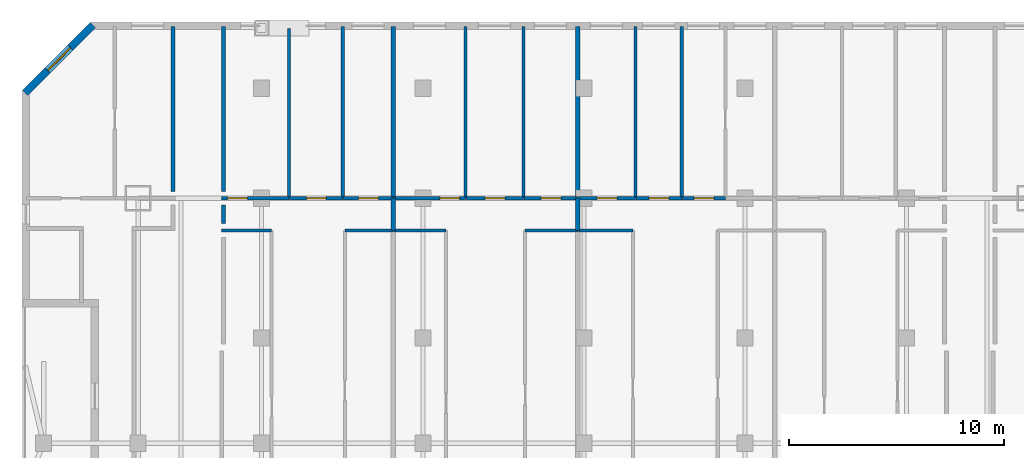
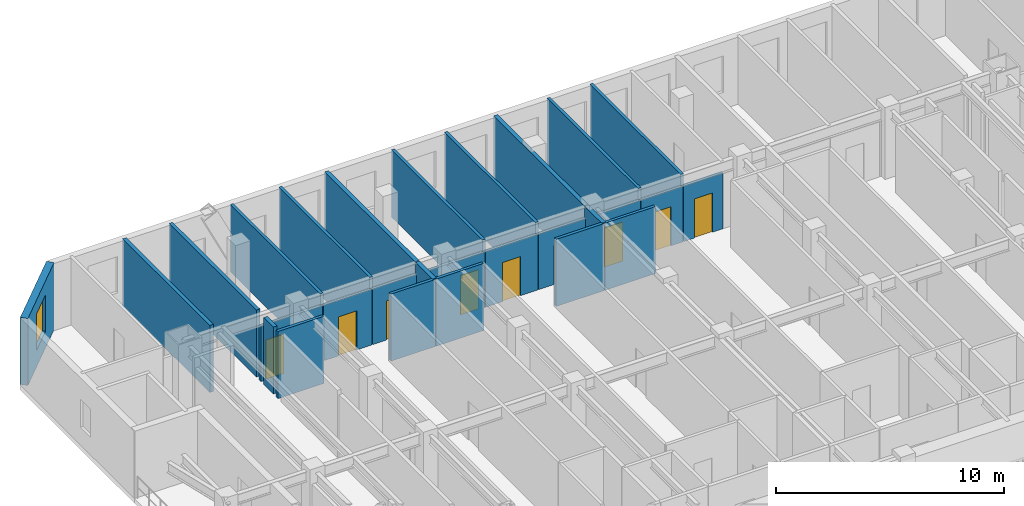
# One storey, part 7 of 11: 28 walls, 9 doors, 1 window, 10 openings.
"""IFC4 building model written with IfcOpenShell, lengths in metres."""

from ifc_helpers import new_model, si_unit, direction, frame, frame_2d, origin, place, context, subcontext, project, spatial, rectangle, extrude, material, layer, layer_set, type_object, element, fill, save


model = new_model("IFC4")

# Units and contexts
model_context = context("Model", 3, precision=1e-05, world=origin(), true_north=direction((0.0, 1.0)))
body_context = subcontext(model_context, "Body", "Model", "MODEL_VIEW")
ifc_project = project(units=[si_unit("LENGTHUNIT", "METRE"), si_unit("AREAUNIT", "SQUARE_METRE"), si_unit("VOLUMEUNIT", "CUBIC_METRE"), si_unit("PLANEANGLEUNIT", "RADIAN"), si_unit("MASSUNIT", "GRAM", prefix="KILO")], contexts=[model_context])

# Site, building, storey
site_placement = place(None, origin())
site = spatial("IfcSite", under=ifc_project, at=site_placement, CompositionType="ELEMENT")
building_placement = place(site_placement, origin())
building = spatial("IfcBuilding", under=site, at=building_placement, Name="Ventersveld Concourse Tower", CompositionType="ELEMENT")
storey_placement = place(building_placement, frame((0.0, 0.0, 119.550048828125)))
storey = spatial("IfcBuildingStorey", under=building, at=storey_placement, Name="L29", CompositionType="ELEMENT", Elevation=119.550048828125)

# Walls
ifc_material_1 = material(Name="Fire-rated autoclaved aerated masonry blockwork", Category="masonry")
ifc_layer_1 = layer(ifc_material_1, 0.179931640625)
ifc_layer_set_1 = layer_set([ifc_layer_1], Name="Fire-rated autoclaved aerated masonry blockwork")
wall_type_1 = type_object("IfcWallType", Name="WL-CORR-180", PredefinedType="PARTITIONING", material=ifc_layer_set_1)
wall_1_placement = place(storey_placement, frame((9.6201171875, 42.989990234375, 0.0), z_axis=(0.0, 0.0, 1.0), x_axis=(0.0, -1.0, 0.0)))
element("IfcWall", 1, at=wall_1_placement, inside=storey, type_object=wall_type_1, Name="L29 Room Enclosure Wall SP-L29-29NW-BR2", PredefinedType="PARTITIONING", context=body_context, shape_type="SweptSolid", body=[
    extrude(rectangle(XDim=7.6650390625, YDim=0.179931640625, at=frame_2d((3.83251953125, 0.0))), origin(), (0.0, 0.0, 1.0), 3.599853515625),
])
wall_2_placement = place(storey_placement, frame((11.97998046875, 33.824951171875, 0.0), z_axis=(0.0, 0.0, 1.0), x_axis=(0.0, 1.0, 0.0)))
element("IfcWall", 2, at=wall_2_placement, inside=storey, type_object=wall_type_1, Name="L29 Room Enclosure Wall SP-L29-29N1-LIV", PredefinedType="PARTITIONING", context=body_context, shape_type="SweptSolid", body=[
    extrude(rectangle(XDim=0.85009765625, YDim=0.179931640625, at=frame_2d((0.425048828125, 0.0))), origin(), (0.0, 0.0, 1.0), 3.599853515625),
])
wall_3_placement = place(storey_placement, frame((11.97998046875, 35.324951171875, 0.0), z_axis=(0.0, 0.0, 1.0), x_axis=(0.0, 1.0, 0.0)))
element("IfcWall", 3, at=wall_3_placement, inside=storey, type_object=wall_type_1, Name="L29 Room Enclosure Wall SP-L29-29N1-BR1", PredefinedType="PARTITIONING", context=body_context, shape_type="SweptSolid", body=[
    extrude(rectangle(XDim=7.6650390625, YDim=0.179931640625, at=frame_2d((3.83251953125, 0.0))), origin(), (0.0, 0.0, 1.0), 3.599853515625),
])
ifc_layer_2 = layer(ifc_material_1, 0.199951171875)
ifc_layer_set_2 = layer_set([ifc_layer_2], Name="Fire-rated autoclaved aerated masonry blockwork")
wall_type_2 = type_object("IfcWallType", Name="WL-DEMISE-200", PredefinedType="PARTITIONING", material=ifc_layer_set_2)
wall_4_placement = place(storey_placement, frame((19.879150390625, 33.4951171875, 0.0), z_axis=(0.0, 0.0, 1.0), x_axis=(0.0, 1.0, 0.0)))
element("IfcWall", 4, at=wall_4_placement, inside=storey, type_object=wall_type_2, Name="L29 Interior Partition SP-L29-29N1-LIV-SP-L29-29N2-LIV", PredefinedType="PARTITIONING", context=body_context, shape_type="SweptSolid", body=[
    extrude(rectangle(XDim=1.509765625, YDim=0.199951171875, at=frame_2d((0.7548828125, 0.0))), origin(), (0.0, 0.0, 1.0), 3.599853515625),
])
wall_5_placement = place(storey_placement, frame((19.879150390625, 35.034912109375, 0.0), z_axis=(0.0, 0.0, 1.0), x_axis=(0.0, 1.0, 0.0)))
element("IfcWall", 5, at=wall_5_placement, inside=storey, type_object=wall_type_2, Name="L29 Interior Partition SP-L29-29N1-BR3-SP-L29-29N2-BR1", PredefinedType="PARTITIONING", context=body_context, shape_type="SweptSolid", body=[
    extrude(rectangle(XDim=7.955078125, YDim=0.199951171875, at=frame_2d((3.9775390625, 0.0))), origin(), (0.0, 0.0, 1.0), 3.599853515625),
])
wall_6_placement = place(storey_placement, frame((28.4560546875, 33.4951171875, 0.0), z_axis=(0.0, 0.0, 1.0), x_axis=(0.0, 1.0, 0.0)))
element("IfcWall", 6, at=wall_6_placement, inside=storey, type_object=wall_type_2, Name="L29 Interior Partition SP-L29-29N2-LIV-SP-L29-29N3-LIV", PredefinedType="PARTITIONING", context=body_context, shape_type="SweptSolid", body=[
    extrude(rectangle(XDim=1.509765625, YDim=0.199951171875, at=frame_2d((0.7548828125, 0.0))), origin(), (0.0, 0.0, 1.0), 3.599853515625),
])
wall_7_placement = place(storey_placement, frame((28.4560546875, 35.034912109375, 0.0), z_axis=(0.0, 0.0, 1.0), x_axis=(0.0, 1.0, 0.0)))
element("IfcWall", 7, at=wall_7_placement, inside=storey, type_object=wall_type_2, Name="L29 Interior Partition SP-L29-29N2-BR3-SP-L29-29N3-BR1", PredefinedType="PARTITIONING", context=body_context, shape_type="SweptSolid", body=[
    extrude(rectangle(XDim=7.955078125, YDim=0.199951171875, at=frame_2d((3.9775390625, 0.0))), origin(), (0.0, 0.0, 1.0), 3.599853515625),
])
ifc_material_2 = material(Name="Autoclaved aerated masonry blockwork", Category="masonry")
ifc_layer_3 = layer(ifc_material_2, 0.14990234375)
ifc_layer_set_3 = layer_set([ifc_layer_3], Name="Autoclaved aerated masonry blockwork")
wall_type_3 = type_object("IfcWallType", Name="WL-INT-150", PredefinedType="PARTITIONING", material=ifc_layer_set_3)
wall_8_placement = place(storey_placement, frame((11.885009765625, 33.5, 0.0), z_axis=(0.0, 0.0, 1.0), x_axis=(1.0, 0.0, 0.0)))
element("IfcWall", 8, at=wall_8_placement, inside=storey, type_object=wall_type_3, Name="L29 Interior Partition SP-L29-29N1-LIV-SP-L29-29N1-OFFL0", PredefinedType="PARTITIONING", context=body_context, shape_type="SweptSolid", body=[
    extrude(rectangle(XDim=2.3310546875, YDim=0.14990234375, at=frame_2d((1.16552734375, 0.0))), origin(), (0.0, 0.0, 1.0), 3.599853515625),
])
wall_9_placement = place(storey_placement, frame((17.6181640625, 33.5, 0.0), z_axis=(0.0, 0.0, 1.0), x_axis=(1.0, 0.0, 0.0)))
element("IfcWall", 9, at=wall_9_placement, inside=storey, type_object=wall_type_3, Name="L29 Interior Partition SP-L29-29N1-LIV-SP-L29-29N1-DENR", PredefinedType="PARTITIONING", context=body_context, shape_type="SweptSolid", body=[
    extrude(rectangle(XDim=2.26611328125, YDim=0.14990234375, at=frame_2d((1.133056640625, 0.0))), origin(), (0.0, 0.0, 1.0), 3.599853515625),
])

# Wall, opening, door
wall_10_placement = place(storey_placement, frame((11.885009765625, 35.0, 0.0), z_axis=(0.0, 0.0, 1.0), x_axis=(1.0, 0.0, 0.0)))
wall_10 = element("IfcWall", 10, at=wall_10_placement, inside=storey, type_object=wall_type_3, Name="L29 Interior Partition SP-L29-29N1-LIV-SP-L29-29N1-BR1", PredefinedType="PARTITIONING", context=body_context, shape_type="SweptSolid", body=[
    extrude(rectangle(XDim=3.138671875, YDim=0.14990234375, at=frame_2d((1.5693359375, 0.0))), origin(), (0.0, 0.0, 1.0), 2.982666015625),
])
opening_1_placement = place(wall_10_placement, frame((0.280029296875, 0.0, 0.0)))
opening_1 = element("IfcOpeningElement", 11, at=opening_1_placement, cuts=wall_10, Name="Opening ID1", PredefinedType="OPENING", context=body_context, shape_type="SweptSolid", body=[
    extrude(rectangle(XDim=0.919921875, YDim=2.10009765625, at=frame_2d((0.4599609375, 1.050048828125))), frame((0.0, 0.0849609375, 0.0), z_axis=(0.0, -1.0, 0.0), x_axis=(1.0, 0.0, 0.0)), (0.0, 0.0, 1.0), 0.169921875),
])
ifc_material_3 = material(Name="Solid-core hardwood veneer timber", Category="wood")
door_type = type_object("IfcDoorType", Name="DR-ROOM-092", OperationType="NOTDEFINED", PredefinedType="DOOR", material=ifc_material_3)
door_1_placement = place(opening_1_placement, origin())
door_1 = element("IfcDoor", 12, at=door_1_placement, inside=storey, type_object=door_type, Name="L29 Interior Door SP-L29-29N1-LIV to SP-L29-29N1-BR1 (D-L29-1451)", OperationType="SINGLE_SWING_LEFT", OverallHeight=2.10009765625, OverallWidth=0.919921875, PredefinedType="DOOR", context=body_context, shape_type="SweptSolid", body=[
    extrude(rectangle(XDim=0.919921875, YDim=2.10009765625, at=frame_2d((0.4599609375, 1.050048828125))), frame((0.0, 0.02490234375, 0.0), z_axis=(0.0, -1.0, 0.0), x_axis=(1.0, 0.0, 0.0)), (0.0, 0.0, 1.0), 0.050048828125),
])
fill(opening_1, door_1)

wall_11_placement = place(storey_placement, frame((15.0537109375, 35.0, 0.0), z_axis=(0.0, 0.0, 1.0), x_axis=(1.0, 0.0, 0.0)))
wall_11 = element("IfcWall", 13, at=wall_11_placement, inside=storey, type_object=wall_type_3, Name="L29 Interior Partition SP-L29-29N1-LIV-SP-L29-29N1-BR2", PredefinedType="PARTITIONING", context=body_context, shape_type="SweptSolid", body=[
    extrude(rectangle(XDim=2.477783203125, YDim=0.14990234375, at=frame_2d((1.23876953125, 0.0))), origin(), (0.0, 0.0, 1.0), 2.982666015625),
])
opening_2_placement = place(wall_11_placement, frame((0.779052734375, 0.0, 0.0)))
opening_2 = element("IfcOpeningElement", 14, at=opening_2_placement, cuts=wall_11, Name="Opening ID1", PredefinedType="OPENING", context=body_context, shape_type="SweptSolid", body=[
    extrude(rectangle(XDim=0.919921875, YDim=2.10009765625, at=frame_2d((0.4599609375, 1.050048828125))), frame((0.0, 0.0849609375, 0.0), z_axis=(0.0, -1.0, 0.0), x_axis=(1.0, 0.0, 0.0)), (0.0, 0.0, 1.0), 0.169921875),
])
door_2_placement = place(opening_2_placement, origin())
door_2 = element("IfcDoor", 15, at=door_2_placement, inside=storey, type_object=door_type, Name="L29 Interior Door SP-L29-29N1-LIV to SP-L29-29N1-BR2 (D-L29-1452)", OperationType="SINGLE_SWING_RIGHT", OverallHeight=2.10009765625, OverallWidth=0.919921875, PredefinedType="DOOR", context=body_context, shape_type="SweptSolid", body=[
    extrude(rectangle(XDim=0.919921875, YDim=2.10009765625, at=frame_2d((0.4599609375, 1.050048828125))), frame((0.0, 0.02490234375, 0.0), z_axis=(0.0, -1.0, 0.0), x_axis=(1.0, 0.0, 0.0)), (0.0, 0.0, 1.0), 0.050048828125),
])
fill(opening_2, door_2)

wall_12_placement = place(storey_placement, frame((17.5615234375, 35.0, 0.0), z_axis=(0.0, 0.0, 1.0), x_axis=(1.0, 0.0, 0.0)))
wall_12 = element("IfcWall", 16, at=wall_12_placement, inside=storey, type_object=wall_type_3, Name="L29 Interior Partition SP-L29-29N1-LIV-SP-L29-29N1-BR3", PredefinedType="PARTITIONING", context=body_context, shape_type="SweptSolid", body=[
    extrude(rectangle(XDim=2.32275390625, YDim=0.14990234375, at=frame_2d((1.161376953125, 0.0))), origin(), (0.0, 0.0, 1.0), 2.982666015625),
])
opening_3_placement = place(wall_12_placement, frame((0.701416015625, 0.0, 0.0)))
opening_3 = element("IfcOpeningElement", 17, at=opening_3_placement, cuts=wall_12, Name="Opening ID1", PredefinedType="OPENING", context=body_context, shape_type="SweptSolid", body=[
    extrude(rectangle(XDim=0.919921875, YDim=2.10009765625, at=frame_2d((0.4599609375, 1.050048828125))), frame((0.0, 0.0849609375, 0.0), z_axis=(0.0, -1.0, 0.0), x_axis=(1.0, 0.0, 0.0)), (0.0, 0.0, 1.0), 0.169921875),
])
door_3_placement = place(opening_3_placement, origin())
door_3 = element("IfcDoor", 18, at=door_3_placement, inside=storey, type_object=door_type, Name="L29 Interior Door SP-L29-29N1-LIV to SP-L29-29N1-BR3 (D-L29-1453)", OperationType="SINGLE_SWING_LEFT", OverallHeight=2.10009765625, OverallWidth=0.919921875, PredefinedType="DOOR", context=body_context, shape_type="SweptSolid", body=[
    extrude(rectangle(XDim=0.919921875, YDim=2.10009765625, at=frame_2d((0.4599609375, 1.050048828125))), frame((0.0, 0.02490234375, 0.0), z_axis=(0.0, -1.0, 0.0), x_axis=(1.0, 0.0, 0.0)), (0.0, 0.0, 1.0), 0.050048828125),
])
fill(opening_3, door_3)

# Walls
wall_13_placement = place(storey_placement, frame((15.0185546875, 34.9951171875, 0.0), z_axis=(0.0, 0.0, 1.0), x_axis=(0.0, 1.0, 0.0)))
element("IfcWall", 19, at=wall_13_placement, inside=storey, type_object=wall_type_3, Name="L29 Interior Partition SP-L29-29N1-BR1-SP-L29-29N1-BR2", PredefinedType="PARTITIONING", context=body_context, shape_type="SweptSolid", body=[
    extrude(rectangle(XDim=7.906982421875, YDim=0.14990234375, at=frame_2d((3.95361328125, 0.0))), origin(), (0.0, 0.0, 1.0), 3.599853515625),
])
wall_14_placement = place(storey_placement, frame((17.526611328125, 34.9951171875, 0.0), z_axis=(0.0, 0.0, 1.0), x_axis=(0.0, 1.0, 0.0)))
element("IfcWall", 20, at=wall_14_placement, inside=storey, type_object=wall_type_3, Name="L29 Interior Partition SP-L29-29N1-BR2-SP-L29-29N1-BR3", PredefinedType="PARTITIONING", context=body_context, shape_type="SweptSolid", body=[
    extrude(rectangle(XDim=7.994873046875, YDim=0.14990234375, at=frame_2d((3.99755859375, 0.0))), origin(), (0.0, 0.0, 1.0), 3.599853515625),
])
wall_15_placement = place(storey_placement, frame((19.914306640625, 33.5, 0.0), z_axis=(0.0, 0.0, 1.0), x_axis=(1.0, 0.0, 0.0)))
element("IfcWall", 21, at=wall_15_placement, inside=storey, type_object=wall_type_3, Name="L29 Interior Partition SP-L29-29N2-LIV-SP-L29-29N2-MEDL0", PredefinedType="PARTITIONING", context=body_context, shape_type="SweptSolid", body=[
    extrude(rectangle(XDim=2.4169921875, YDim=0.14990234375, at=frame_2d((1.20849609375, 0.0))), origin(), (0.0, 0.0, 1.0), 3.599853515625),
])
wall_16_placement = place(storey_placement, frame((26.00390625, 33.5, 0.0), z_axis=(0.0, 0.0, 1.0), x_axis=(1.0, 0.0, 0.0)))
element("IfcWall", 22, at=wall_16_placement, inside=storey, type_object=wall_type_3, Name="L29 Interior Partition SP-L29-29N2-LIV-SP-L29-29N2-DENR", PredefinedType="PARTITIONING", context=body_context, shape_type="SweptSolid", body=[
    extrude(rectangle(XDim=2.457275390625, YDim=0.14990234375, at=frame_2d((1.228515625, 0.0))), origin(), (0.0, 0.0, 1.0), 3.599853515625),
])

# Wall, opening, door
wall_17_placement = place(storey_placement, frame((19.914306640625, 35.0, 0.0), z_axis=(0.0, 0.0, 1.0), x_axis=(1.0, 0.0, 0.0)))
wall_17 = element("IfcWall", 23, at=wall_17_placement, inside=storey, type_object=wall_type_3, Name="L29 Interior Partition SP-L29-29N2-LIV-SP-L29-29N2-BR1", PredefinedType="PARTITIONING", context=body_context, shape_type="SweptSolid", body=[
    extrude(rectangle(XDim=3.331298828125, YDim=0.14990234375, at=frame_2d((1.66552734375, 0.0))), origin(), (0.0, 0.0, 1.0), 2.982666015625),
])
opening_4_placement = place(wall_17_placement, frame((2.13134765625, 0.0, 0.0)))
opening_4 = element("IfcOpeningElement", 24, at=opening_4_placement, cuts=wall_17, Name="Opening ID1", PredefinedType="OPENING", context=body_context, shape_type="SweptSolid", body=[
    extrude(rectangle(XDim=0.919921875, YDim=2.10009765625, at=frame_2d((0.4599609375, 1.050048828125))), frame((0.0, 0.0849609375, 0.0), z_axis=(0.0, -1.0, 0.0), x_axis=(1.0, 0.0, 0.0)), (0.0, 0.0, 1.0), 0.169921875),
])
door_4_placement = place(opening_4_placement, origin())
door_4 = element("IfcDoor", 25, at=door_4_placement, inside=storey, type_object=door_type, Name="L29 Interior Door SP-L29-29N2-LIV to SP-L29-29N2-BR1 (D-L29-1459)", OperationType="SINGLE_SWING_LEFT", OverallHeight=2.10009765625, OverallWidth=0.919921875, PredefinedType="DOOR", context=body_context, shape_type="SweptSolid", body=[
    extrude(rectangle(XDim=0.919921875, YDim=2.10009765625, at=frame_2d((0.4599609375, 1.050048828125))), frame((0.0, 0.02490234375, 0.0), z_axis=(0.0, -1.0, 0.0), x_axis=(1.0, 0.0, 0.0)), (0.0, 0.0, 1.0), 0.050048828125),
])
fill(opening_4, door_4)

wall_18_placement = place(storey_placement, frame((23.275390625, 35.0, 0.0), z_axis=(0.0, 0.0, 1.0), x_axis=(1.0, 0.0, 0.0)))
wall_18 = element("IfcWall", 26, at=wall_18_placement, inside=storey, type_object=wall_type_3, Name="L29 Interior Partition SP-L29-29N2-LIV-SP-L29-29N2-BR2", PredefinedType="PARTITIONING", context=body_context, shape_type="SweptSolid", body=[
    extrude(rectangle(XDim=2.66162109375, YDim=0.14990234375, at=frame_2d((1.330810546875, 0.0))), origin(), (0.0, 0.0, 1.0), 2.982666015625),
])
opening_5_placement = place(wall_18_placement, frame((0.870849609375, 0.0, 0.0)))
opening_5 = element("IfcOpeningElement", 27, at=opening_5_placement, cuts=wall_18, Name="Opening ID1", PredefinedType="OPENING", context=body_context, shape_type="SweptSolid", body=[
    extrude(rectangle(XDim=0.919921875, YDim=2.10009765625, at=frame_2d((0.4599609375, 1.050048828125))), frame((0.0, 0.0849609375, 0.0), z_axis=(0.0, -1.0, 0.0), x_axis=(1.0, 0.0, 0.0)), (0.0, 0.0, 1.0), 0.169921875),
])
door_5_placement = place(opening_5_placement, origin())
door_5 = element("IfcDoor", 28, at=door_5_placement, inside=storey, type_object=door_type, Name="L29 Interior Door SP-L29-29N2-LIV to SP-L29-29N2-BR2 (D-L29-1460)", OperationType="SINGLE_SWING_RIGHT", OverallHeight=2.10009765625, OverallWidth=0.919921875, PredefinedType="DOOR", context=body_context, shape_type="SweptSolid", body=[
    extrude(rectangle(XDim=0.919921875, YDim=2.10009765625, at=frame_2d((0.4599609375, 1.050048828125))), frame((0.0, 0.02490234375, 0.0), z_axis=(0.0, -1.0, 0.0), x_axis=(1.0, 0.0, 0.0)), (0.0, 0.0, 1.0), 0.050048828125),
])
fill(opening_5, door_5)

wall_19_placement = place(storey_placement, frame((25.967041015625, 35.0, 0.0), z_axis=(0.0, 0.0, 1.0), x_axis=(1.0, 0.0, 0.0)))
wall_19 = element("IfcWall", 29, at=wall_19_placement, inside=storey, type_object=wall_type_3, Name="L29 Interior Partition SP-L29-29N2-LIV-SP-L29-29N2-BR3", PredefinedType="PARTITIONING", context=body_context, shape_type="SweptSolid", body=[
    extrude(rectangle(XDim=2.494140625, YDim=0.14990234375, at=frame_2d((1.2470703125, 0.0))), origin(), (0.0, 0.0, 1.0), 2.982666015625),
])
opening_6_placement = place(wall_19_placement, frame((0.787109375, 0.0, 0.0)))
opening_6 = element("IfcOpeningElement", 30, at=opening_6_placement, cuts=wall_19, Name="Opening ID1", PredefinedType="OPENING", context=body_context, shape_type="SweptSolid", body=[
    extrude(rectangle(XDim=0.919921875, YDim=2.10009765625, at=frame_2d((0.4599609375, 1.050048828125))), frame((0.0, 0.0849609375, 0.0), z_axis=(0.0, -1.0, 0.0), x_axis=(1.0, 0.0, 0.0)), (0.0, 0.0, 1.0), 0.169921875),
])
door_6_placement = place(opening_6_placement, origin())
door_6 = element("IfcDoor", 31, at=door_6_placement, inside=storey, type_object=door_type, Name="L29 Interior Door SP-L29-29N2-LIV to SP-L29-29N2-BR3 (D-L29-1461)", OperationType="SINGLE_SWING_LEFT", OverallHeight=2.10009765625, OverallWidth=0.919921875, PredefinedType="DOOR", context=body_context, shape_type="SweptSolid", body=[
    extrude(rectangle(XDim=0.919921875, YDim=2.10009765625, at=frame_2d((0.4599609375, 1.050048828125))), frame((0.0, 0.02490234375, 0.0), z_axis=(0.0, -1.0, 0.0), x_axis=(1.0, 0.0, 0.0)), (0.0, 0.0, 1.0), 0.050048828125),
])
fill(opening_6, door_6)

# Walls
for number, where, z_axis, x_axis, name in (
    (32, (23.240478515625, 34.9951171875, 0.0), (0.0, 0.0, 1.0), (0.0, 1.0, 0.0), "L29 Interior Partition SP-L29-29N2-BR1-SP-L29-29N2-BR2"),
    (33, (25.931884765625, 34.9951171875, 0.0), (0.0, 0.0, 1.0), (0.0, 1.0, 0.0), "L29 Interior Partition SP-L29-29N2-BR2-SP-L29-29N2-BR3"),
):
    element("IfcWall", number, at=place(storey_placement, frame(where, z_axis=z_axis, x_axis=x_axis)), inside=storey, type_object=wall_type_3, Name=name, PredefinedType="PARTITIONING", context=body_context, shape_type="SweptSolid", body=[
        extrude(rectangle(XDim=7.994873046875, YDim=0.14990234375, at=frame_2d((3.99755859375, 0.0))), origin(), (0.0, 0.0, 1.0), 3.599853515625),
    ])
wall_20_placement = place(storey_placement, frame((28.4912109375, 33.5, 0.0), z_axis=(0.0, 0.0, 1.0), x_axis=(1.0, 0.0, 0.0)))
element("IfcWall", 34, at=wall_20_placement, inside=storey, type_object=wall_type_3, Name="L29 Interior Partition SP-L29-29N3-LIV-SP-L29-29N3-MEDL0", PredefinedType="PARTITIONING", context=body_context, shape_type="SweptSolid", body=[
    extrude(rectangle(XDim=2.538330078125, YDim=0.14990234375, at=frame_2d((1.26904296875, 0.0))), origin(), (0.0, 0.0, 1.0), 3.599853515625),
])

# Wall, opening, door
wall_21_placement = place(storey_placement, frame((28.4912109375, 35.0, 0.0), z_axis=(0.0, 0.0, 1.0), x_axis=(1.0, 0.0, 0.0)))
wall_21 = element("IfcWall", 35, at=wall_21_placement, inside=storey, type_object=wall_type_3, Name="L29 Interior Partition SP-L29-29N3-LIV-SP-L29-29N3-BR1", PredefinedType="PARTITIONING", context=body_context, shape_type="SweptSolid", body=[
    extrude(rectangle(XDim=2.656982421875, YDim=0.14990234375, at=frame_2d((1.32861328125, 0.0))), origin(), (0.0, 0.0, 1.0), 2.982666015625),
])
opening_7_placement = place(wall_21_placement, frame((0.868408203125, 0.0, 0.0)))
opening_7 = element("IfcOpeningElement", 36, at=opening_7_placement, cuts=wall_21, Name="Opening ID1", PredefinedType="OPENING", context=body_context, shape_type="SweptSolid", body=[
    extrude(rectangle(XDim=0.919921875, YDim=2.10009765625, at=frame_2d((0.4599609375, 1.050048828125))), frame((0.0, 0.0849609375, 0.0), z_axis=(0.0, -1.0, 0.0), x_axis=(1.0, 0.0, 0.0)), (0.0, 0.0, 1.0), 0.169921875),
])
door_7_placement = place(opening_7_placement, origin())
door_7 = element("IfcDoor", 37, at=door_7_placement, inside=storey, type_object=door_type, Name="L29 Interior Door SP-L29-29N3-LIV to SP-L29-29N3-BR1 (D-L29-1468)", OperationType="SINGLE_SWING_RIGHT", OverallHeight=2.10009765625, OverallWidth=0.919921875, PredefinedType="DOOR", context=body_context, shape_type="SweptSolid", body=[
    extrude(rectangle(XDim=0.919921875, YDim=2.10009765625, at=frame_2d((0.4599609375, 1.050048828125))), frame((0.0, 0.02490234375, 0.0), z_axis=(0.0, -1.0, 0.0), x_axis=(1.0, 0.0, 0.0)), (0.0, 0.0, 1.0), 0.050048828125),
])
fill(opening_7, door_7)

wall_22_placement = place(storey_placement, frame((31.177978515625, 35.0, 0.0), z_axis=(0.0, 0.0, 1.0), x_axis=(1.0, 0.0, 0.0)))
wall_22 = element("IfcWall", 38, at=wall_22_placement, inside=storey, type_object=wall_type_3, Name="L29 Interior Partition SP-L29-29N3-LIV-SP-L29-29N3-BR2", PredefinedType="PARTITIONING", context=body_context, shape_type="SweptSolid", body=[
    extrude(rectangle(XDim=2.12939453125, YDim=0.14990234375, at=frame_2d((1.064697265625, 0.0))), origin(), (0.0, 0.0, 1.0), 2.982666015625),
])
opening_8_placement = place(wall_22_placement, frame((0.6044921875, 0.0, 0.0)))
opening_8 = element("IfcOpeningElement", 39, at=opening_8_placement, cuts=wall_22, Name="Opening ID1", PredefinedType="OPENING", context=body_context, shape_type="SweptSolid", body=[
    extrude(rectangle(XDim=0.919921875, YDim=2.10009765625, at=frame_2d((0.4599609375, 1.050048828125))), frame((0.0, 0.0849609375, 0.0), z_axis=(0.0, -1.0, 0.0), x_axis=(1.0, 0.0, 0.0)), (0.0, 0.0, 1.0), 0.169921875),
])
door_8_placement = place(opening_8_placement, origin())
door_8 = element("IfcDoor", 40, at=door_8_placement, inside=storey, type_object=door_type, Name="L29 Interior Door SP-L29-29N3-LIV to SP-L29-29N3-BR2 (D-L29-1469)", OperationType="SINGLE_SWING_LEFT", OverallHeight=2.10009765625, OverallWidth=0.919921875, PredefinedType="DOOR", context=body_context, shape_type="SweptSolid", body=[
    extrude(rectangle(XDim=0.919921875, YDim=2.10009765625, at=frame_2d((0.4599609375, 1.050048828125))), frame((0.0, 0.02490234375, 0.0), z_axis=(0.0, -1.0, 0.0), x_axis=(1.0, 0.0, 0.0)), (0.0, 0.0, 1.0), 0.050048828125),
])
fill(opening_8, door_8)

wall_23_placement = place(storey_placement, frame((33.33740234375, 35.0, 0.0), z_axis=(0.0, 0.0, 1.0), x_axis=(1.0, 0.0, 0.0)))
wall_23 = element("IfcWall", 41, at=wall_23_placement, inside=storey, type_object=wall_type_3, Name="L29 Interior Partition SP-L29-29N3-LIV-SP-L29-29N3-BR3", PredefinedType="PARTITIONING", context=body_context, shape_type="SweptSolid", body=[
    extrude(rectangle(XDim=1.997314453125, YDim=0.14990234375, at=frame_2d((0.99853515625, 0.0))), origin(), (0.0, 0.0, 1.0), 2.982666015625),
])
opening_9_placement = place(wall_23_placement, frame((0.538818359375, 0.0, 0.0)))
opening_9 = element("IfcOpeningElement", 42, at=opening_9_placement, cuts=wall_23, Name="Opening ID1", PredefinedType="OPENING", context=body_context, shape_type="SweptSolid", body=[
    extrude(rectangle(XDim=0.919921875, YDim=2.10009765625, at=frame_2d((0.4599609375, 1.050048828125))), frame((0.0, 0.0849609375, 0.0), z_axis=(0.0, -1.0, 0.0), x_axis=(1.0, 0.0, 0.0)), (0.0, 0.0, 1.0), 0.169921875),
])
door_9_placement = place(opening_9_placement, origin())
door_9 = element("IfcDoor", 43, at=door_9_placement, inside=storey, type_object=door_type, Name="L29 Interior Door SP-L29-29N3-LIV to SP-L29-29N3-BR3 (D-L29-1470)", OperationType="SINGLE_SWING_RIGHT", OverallHeight=2.10009765625, OverallWidth=0.919921875, PredefinedType="DOOR", context=body_context, shape_type="SweptSolid", body=[
    extrude(rectangle(XDim=0.919921875, YDim=2.10009765625, at=frame_2d((0.4599609375, 1.050048828125))), frame((0.0, 0.02490234375, 0.0), z_axis=(0.0, -1.0, 0.0), x_axis=(1.0, 0.0, 0.0)), (0.0, 0.0, 1.0), 0.050048828125),
])
fill(opening_9, door_9)

# Walls
for number, where, z_axis, x_axis, name in (
    (44, (31.14306640625, 34.9951171875, 0.0), (0.0, 0.0, 1.0), (0.0, 1.0, 0.0), "L29 Interior Partition SP-L29-29N3-BR1-SP-L29-29N3-BR2"),
    (45, (33.30224609375, 34.9951171875, 0.0), (0.0, 0.0, 1.0), (0.0, 1.0, 0.0), "L29 Interior Partition SP-L29-29N3-BR2-SP-L29-29N3-BR3"),
):
    element("IfcWall", number, at=place(storey_placement, frame(where, z_axis=z_axis, x_axis=x_axis)), inside=storey, type_object=wall_type_3, Name=name, PredefinedType="PARTITIONING", context=body_context, shape_type="SweptSolid", body=[
        extrude(rectangle(XDim=7.994873046875, YDim=0.14990234375, at=frame_2d((3.99755859375, 0.0))), origin(), (0.0, 0.0, 1.0), 3.599853515625),
    ])

# Wall, opening, window
ifc_material_4 = material(Name="Precast concrete C45/55", Category="concrete")
ifc_layer_4 = layer(ifc_material_4, 0.35009765625)
ifc_layer_set_4 = layer_set([ifc_layer_4], Name="Precast concrete C45/55")
wall_type_4 = type_object("IfcWallType", Name="WL-PREC-350", PredefinedType="SOLIDWALL", material=ifc_layer_set_4)
wall_24_placement = place(storey_placement, frame((5.8955078125, 43.048095703125, 0.0), z_axis=(0.0, 0.0, 1.0), x_axis=(-0.707106781187, -0.707106781187, 0.0)))
wall_24 = element("IfcWall", 46, at=wall_24_placement, inside=storey, type_object=wall_type_4, Name="L29 Highveld Precast Facade Wall E10", PredefinedType="SOLIDWALL", context=body_context, shape_type="SweptSolid", body=[
    extrude(rectangle(XDim=4.445556640625, YDim=0.35009765625, at=frame_2d((2.22265625, 0.0))), origin(), (0.0, 0.0, 1.0), 3.599853515625),
])
opening_10_placement = place(wall_24_placement, frame((1.47265625, 0.0, 0.89990234375)))
opening_10 = element("IfcOpeningElement", 47, at=opening_10_placement, cuts=wall_24, Name="Opening W1", PredefinedType="OPENING", context=body_context, shape_type="SweptSolid", body=[
    extrude(rectangle(XDim=1.5, YDim=1.949951171875, at=frame_2d((0.75, 0.97509765625))), frame((0.0, 0.18505859375, 0.0), z_axis=(0.0, -1.0, 0.0), x_axis=(1.0, 0.0, 0.0)), (0.0, 0.0, 1.0), 0.3701171875),
])
ifc_material_5 = material(Name="Tempered acoustic Low-E IGU", Category="glass")
window_type = type_object("IfcWindowType", Name="WIN-150x210", PartitioningType="SINGLE_PANEL", PredefinedType="WINDOW", material=ifc_material_5)
window_placement = place(opening_10_placement, origin())
window = element("IfcWindow", 48, at=window_placement, inside=storey, type_object=window_type, Name="L29 Punched Low-E Window W-0358", OverallHeight=1.949951171875, OverallWidth=1.5, PartitioningType="SINGLE_PANEL", PredefinedType="WINDOW", context=body_context, shape_type="SweptSolid", body=[
    extrude(rectangle(XDim=1.5, YDim=1.949951171875, at=frame_2d((0.75, 0.97509765625))), frame((0.0, 0.030029296875, 0.0), z_axis=(0.0, -1.0, 0.0), x_axis=(1.0, 0.0, 0.0)), (0.0, 0.0, 1.0), 0.06005859375),
])
fill(opening_10, window)

save(model, "model.ifc")
